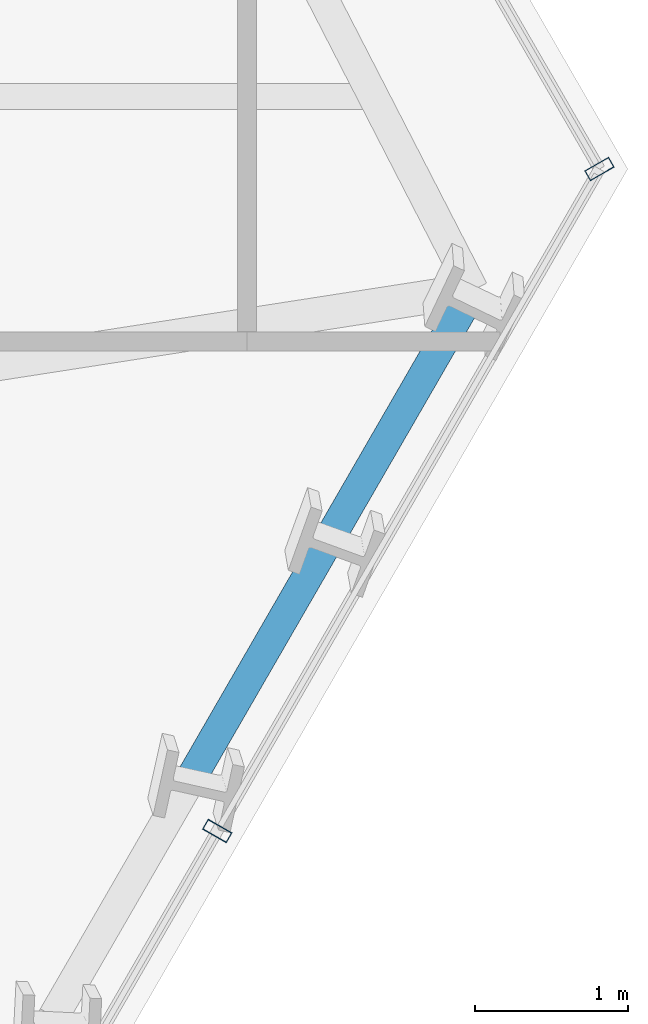
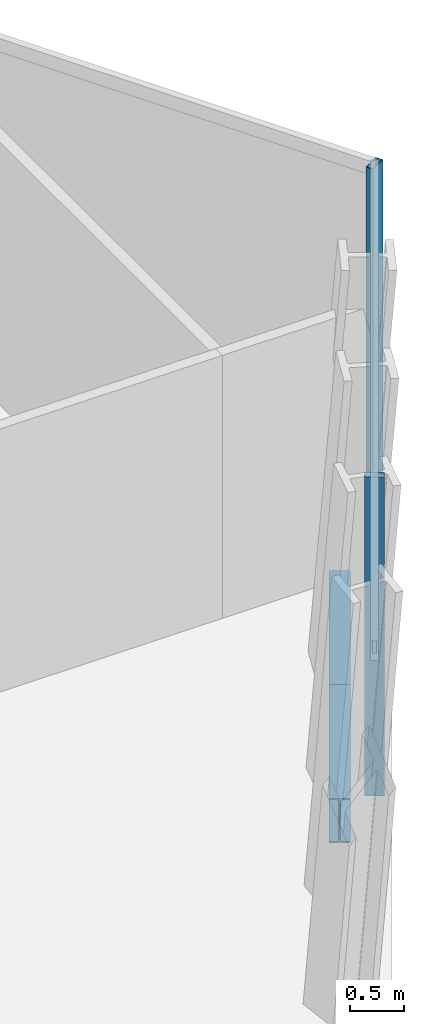
# One storey, part 18 of 32: 2 beams, 2 members, 2 elements without a shape of their own.
"""IFC4 building model written with IfcOpenShell, lengths in metres."""

from ifc_helpers import new_model, si_unit, direction, frame, origin, origin_2d, place, context, subcontext, project, spatial, hollow_rectangle, i_section, extrude, material, layer, layer_set, material_profile, profile_set, type_object, element, aggregate, save


model = new_model("IFC4")

# Units and contexts
model_context = context("Model", 3, precision=1e-05, world=origin(), true_north=direction((0.0, 1.0)))
body_context = subcontext(model_context, "Body", "Model", "MODEL_VIEW")
ifc_project = project(units=[si_unit("LENGTHUNIT", "METRE"), si_unit("AREAUNIT", "SQUARE_METRE"), si_unit("VOLUMEUNIT", "CUBIC_METRE"), si_unit("PLANEANGLEUNIT", "RADIAN"), si_unit("MASSUNIT", "GRAM", prefix="KILO")], contexts=[model_context])

# Site, building, storey
site_placement = place(None, origin())
site = spatial("IfcSite", under=ifc_project, at=site_placement, CompositionType="ELEMENT")
building_placement = place(site_placement, origin())
building = spatial("IfcBuilding", under=site, at=building_placement, Name="Ndaravel Arena Tower", CompositionType="ELEMENT")
storey_placement = place(building_placement, frame((0.0, 0.0, 77.800048828125)))
storey = spatial("IfcBuildingStorey", under=building, at=storey_placement, Name="L17", CompositionType="ELEMENT", Elevation=77.800048828125)

# Beams
ifc_material_1 = material(Name="Steel S355", Category="steel")
ifc_material_profile_1 = material_profile(ifc_material_1, i_section(OverallWidth=0.199951171875, OverallDepth=0.5, WebThickness=0.01025390625, FlangeThickness=0.01611328125, FilletRadius=0.02099609375, at=origin_2d()), Name="IPE 500")
ifc_profile_set_1 = profile_set([ifc_material_profile_1], Name="Steel S355")
beam_type = type_object("IfcBeamType", Name="BM-SPAN-IPE500", PredefinedType="SPANDREL", material=ifc_profile_set_1)
for number, where, z_axis, x_axis, name in (
    (1, (62.85009765625, 14.1748046875, -0.469970703125), (0.499907684424, 0.866078695647, 0.0), (-0.866078695647, 0.499907684424, 0.0), "L17 Perimeter Spandrel Beam SP-07"),
    (2, (63.7626953125, 15.755859375, -0.469970703125), (0.500065901226, 0.86598735235, 0.0), (-0.86598735235, 0.500065901226, 0.0), "L17 Perimeter Spandrel Beam SP-08"),
):
    element("IfcBeam", number, at=place(storey_placement, frame(where, z_axis=z_axis, x_axis=x_axis)), inside=storey, type_object=beam_type, Name=name, PredefinedType="SPANDREL", context=body_context, shape_type="SweptSolid", body=[
        extrude(i_section(OverallWidth=0.199951171875, OverallDepth=0.5, WebThickness=0.01025390625, FlangeThickness=0.01611328125, FilletRadius=0.02099609375, at=origin_2d()), origin(), (0.0, 0.0, 1.0), 1.825439453125),
    ])

# Curtain wall, member
ifc_material_2 = material(Name="Aluminium", Category="aluminium")
ifc_layer_1 = layer(ifc_material_2, 0.179931640625)
ifc_layer_set_1 = layer_set([ifc_layer_1], Name="Aluminium")
curtain_wall_type_1 = type_object("IfcCurtainWallType", Name="CW-SYS-01", PredefinedType="NOTDEFINED", material=ifc_layer_set_1)
curtain_wall_1_placement = place(storey_placement, origin())
curtain_wall_1 = element("IfcCurtainWall", 3, at=curtain_wall_1_placement, inside=storey, type_object=curtain_wall_type_1, Name="L17 Faceted Crystal Curtain Wall CW-L17-E02", PredefinedType="NOTDEFINED")
ifc_material_3 = material(Name="Aluminium", Category="aluminium")
ifc_material_profile_2 = material_profile(ifc_material_3, hollow_rectangle(XDim=0.074951171875, YDim=0.179931640625, WallThickness=0.00390625, at=origin_2d()), Name="CW MULLION 75x180x4")
ifc_profile_set_2 = profile_set([ifc_material_profile_2], Name="Aluminium")
member_type = type_object("IfcMemberType", Name="MEM-CW-MUL180", PredefinedType="MULLION", material=ifc_profile_set_2)
member_1_placement = place(storey_placement, frame((63.005859375, 13.8046875, 0.0), z_axis=(0.0, 0.0, 1.0), x_axis=(0.5, 0.866025403784, 0.0)))
member_1 = element("IfcMember", 4, at=member_1_placement, type_object=member_type, Name="CW-L17-E02 Mullion 02", PredefinedType="MULLION", context=body_context, shape_type="SweptSolid", body=[
    extrude(hollow_rectangle(XDim=0.074951171875, YDim=0.179931640625, WallThickness=0.00390625, at=origin_2d()), origin(), (0.0, 0.0, 1.0), 3.579833984375),
])
aggregate(curtain_wall_1, [member_1])

ifc_material_4 = material(Name="Aluminium", Category="aluminium")
ifc_layer_2 = layer(ifc_material_4, 0.179931640625)
ifc_layer_set_2 = layer_set([ifc_layer_2], Name="Aluminium")
curtain_wall_type_2 = type_object("IfcCurtainWallType", Name="CW-SYS-03", PredefinedType="NOTDEFINED", material=ifc_layer_set_2)
curtain_wall_2_placement = place(storey_placement, origin())
curtain_wall_2 = element("IfcCurtainWall", 5, at=curtain_wall_2_placement, inside=storey, type_object=curtain_wall_type_2, Name="L17 Faceted Crystal Curtain Wall CW-L17-E03", PredefinedType="NOTDEFINED")
member_2_placement = place(storey_placement, frame((65.50146484375, 18.127197265625, 0.0), z_axis=(0.0, 0.0, 1.0), x_axis=(-0.5, 0.866025403784, 0.0)))
member_2 = element("IfcMember", 6, at=member_2_placement, type_object=member_type, Name="CW-L17-E03 Mullion 00", PredefinedType="MULLION", context=body_context, shape_type="SweptSolid", body=[
    extrude(hollow_rectangle(XDim=0.074951171875, YDim=0.179931640625, WallThickness=0.00390625, at=origin_2d()), origin(), (0.0, 0.0, 1.0), 3.579833984375),
])
aggregate(curtain_wall_2, [member_2])

save(model, "model.ifc")
